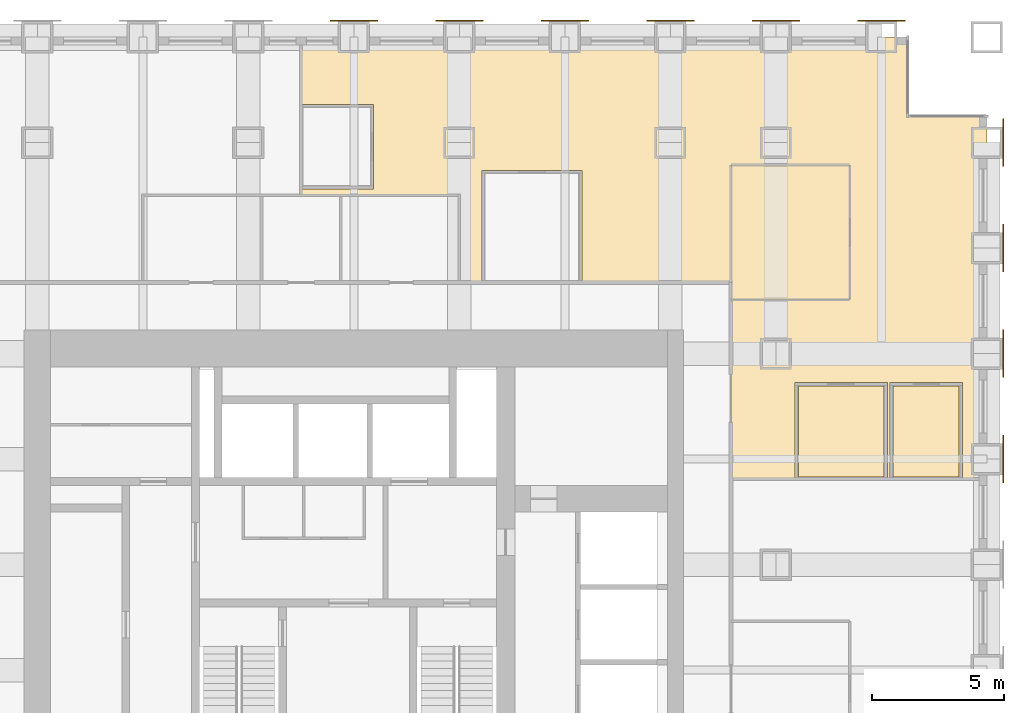
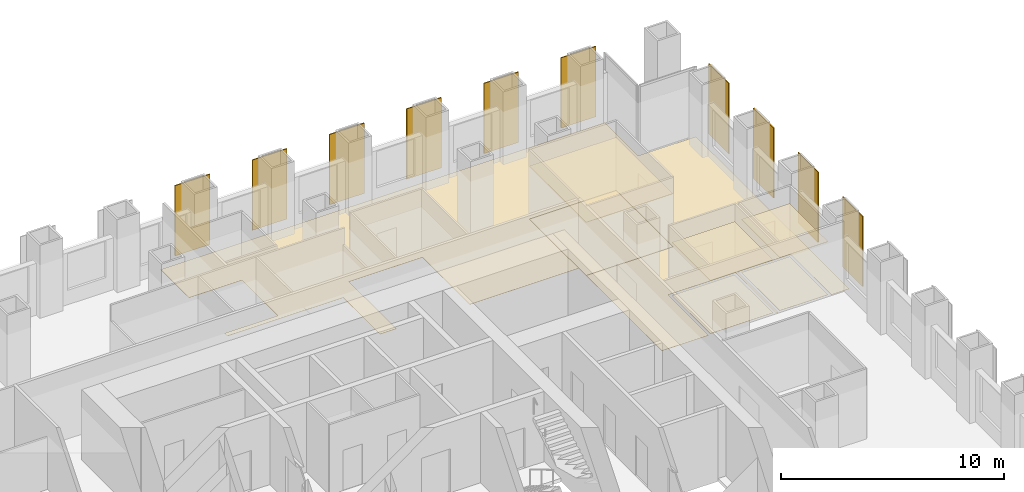
# One storey, part 14 of 14: 10 shading devices, 7 coverings.
"""IFC4 building model written with IfcOpenShell, lengths in metres."""

from ifc_helpers import new_model, si_unit, direction, frame, origin, origin_2d, place, context, subcontext, project, spatial, polyline, rectangle, outline, extrude, material, layer, layer_set, type_object, element, save


model = new_model("IFC4")

# Units and contexts
model_context = context("Model", 3, precision=1e-05, world=origin(), true_north=direction((0.0, 1.0)))
body_context = subcontext(model_context, "Body", "Model", "MODEL_VIEW")
ifc_project = project(units=[si_unit("LENGTHUNIT", "METRE"), si_unit("AREAUNIT", "SQUARE_METRE"), si_unit("VOLUMEUNIT", "CUBIC_METRE"), si_unit("PLANEANGLEUNIT", "RADIAN"), si_unit("MASSUNIT", "GRAM", prefix="KILO")], contexts=[model_context])

# Site, building, storey
site_placement = place(None, origin())
site = spatial("IfcSite", under=ifc_project, at=site_placement, CompositionType="ELEMENT")
building_placement = place(site_placement, origin())
building = spatial("IfcBuilding", under=site, at=building_placement, Name="Rimbunsela Tower", CompositionType="ELEMENT")
storey_placement = place(building_placement, frame((0.0, 0.0, 55.0)))
storey = spatial("IfcBuildingStorey", under=building, at=storey_placement, Name="L13", CompositionType="ELEMENT", Elevation=55.0)

# Coverings
ifc_material_1 = material(Name="Nylon carpet tile", Category="textile")
ifc_layer_1 = layer(ifc_material_1, 0.010009765625)
ifc_layer_set_1 = layer_set([ifc_layer_1], Name="Carpet tile 10")
covering_type_1 = type_object("IfcCoveringType", Name="Carpet tile 10", PredefinedType="FLOORING", material=ifc_layer_set_1)
covering_1_placement = place(storey_placement, origin())
element("IfcCovering", 1, at=covering_1_placement, inside=storey, type_object=covering_type_1, Name="Floor finish Open office", PredefinedType="FLOORING", context=body_context, shape_type="SweptSolid", body=[
    extrude(outline(polyline([(44.300048828125, 38.699951171875), (38.64990234375, 38.699951171875), (38.64990234375, 42.949951171875), (34.85009765625, 42.949951171875), (34.85009765625, 38.699951171875), (34.0, 38.699951171875), (34.0, 42.0), (28.0009765625, 42.0), (28.0009765625, 42.25), (30.75, 42.25), (30.75, 45.449951171875), (28.0009765625, 45.449951171875), (28.0009765625, 48.0), (44.300048828125, 48.0), (51.0, 48.0), (51.0, 45.0), (54.0, 45.0), (54.0, 31.2509765625), (53.074951171875, 31.2509765625), (53.074951171875, 34.89990234375), (50.324951171875, 34.89990234375), (50.324951171875, 31.2509765625), (50.22509765625, 31.2509765625), (50.22509765625, 34.89990234375), (46.72509765625, 34.89990234375), (46.72509765625, 31.2509765625), (44.300048828125, 31.2509765625), (44.300048828125, 38.050048828125), (48.800048828125, 38.050048828125), (48.800048828125, 43.14990234375), (44.300048828125, 43.14990234375), (44.300048828125, 38.699951171875)])), origin(), (0.0, 0.0, 1.0), 0.010009765625),
])
covering_2_placement = place(storey_placement, origin())
element("IfcCovering", 2, at=covering_2_placement, inside=storey, type_object=covering_type_1, Name="Floor finish Reception", PredefinedType="FLOORING", context=body_context, shape_type="SweptSolid", body=[
    extrude(outline(polyline([(48.800048828125, 38.050048828125), (48.800048828125, 43.14990234375), (44.300048828125, 43.14990234375), (44.300048828125, 38.050048828125), (48.800048828125, 38.050048828125)])), origin(), (0.0, 0.0, 1.0), 0.010009765625),
])
covering_3_placement = place(storey_placement, origin())
element("IfcCovering", 3, at=covering_3_placement, inside=storey, type_object=covering_type_1, Name="Floor finish Pantry", PredefinedType="FLOORING", context=body_context, shape_type="SweptSolid", body=[
    extrude(outline(polyline([(50.10009765625, 31.324951171875), (50.10009765625, 34.77490234375), (46.85009765625, 34.77490234375), (46.85009765625, 31.324951171875), (50.10009765625, 31.324951171875)])), origin(), (0.0, 0.0, 1.0), 0.010009765625),
])
covering_4_placement = place(storey_placement, origin())
element("IfcCovering", 4, at=covering_4_placement, inside=storey, type_object=covering_type_1, Name="Floor finish Print and copy room", PredefinedType="FLOORING", context=body_context, shape_type="SweptSolid", body=[
    extrude(outline(polyline([(52.949951171875, 31.324951171875), (52.949951171875, 34.77490234375), (50.449951171875, 34.77490234375), (50.449951171875, 31.324951171875), (52.949951171875, 31.324951171875)])), origin(), (0.0, 0.0, 1.0), 0.010009765625),
])
ifc_material_2 = material(Name="Mineral fibre ceiling tile", Category="gypsum")
ifc_layer_2 = layer(ifc_material_2, 0.02001953125)
ifc_layer_set_2 = layer_set([ifc_layer_2], Name="Ceiling 600 grid")
covering_type_2 = type_object("IfcCoveringType", Name="Ceiling 600 grid", PredefinedType="CEILING", material=ifc_layer_set_2)
covering_5_placement = place(storey_placement, frame((0.0, 0.0, 2.89990234375)))
element("IfcCovering", 5, at=covering_5_placement, inside=storey, type_object=covering_type_2, Name="Ceiling Reception", PredefinedType="CEILING", context=body_context, shape_type="SweptSolid", body=[
    extrude(outline(polyline([(48.800048828125, 38.050048828125), (48.800048828125, 43.14990234375), (44.300048828125, 43.14990234375), (44.300048828125, 38.050048828125), (48.800048828125, 38.050048828125)])), origin(), (0.0, 0.0, 1.0), 0.02001953125),
])
covering_6_placement = place(storey_placement, frame((0.0, 0.0, 2.89990234375)))
element("IfcCovering", 6, at=covering_6_placement, inside=storey, type_object=covering_type_2, Name="Ceiling Pantry", PredefinedType="CEILING", context=body_context, shape_type="SweptSolid", body=[
    extrude(outline(polyline([(50.10009765625, 31.324951171875), (50.10009765625, 34.77490234375), (46.85009765625, 34.77490234375), (46.85009765625, 31.324951171875), (50.10009765625, 31.324951171875)])), origin(), (0.0, 0.0, 1.0), 0.02001953125),
])
covering_7_placement = place(storey_placement, frame((0.0, 0.0, 2.89990234375)))
element("IfcCovering", 7, at=covering_7_placement, inside=storey, type_object=covering_type_2, Name="Ceiling Print and copy room", PredefinedType="CEILING", context=body_context, shape_type="SweptSolid", body=[
    extrude(outline(polyline([(52.949951171875, 31.324951171875), (52.949951171875, 34.77490234375), (50.449951171875, 34.77490234375), (50.449951171875, 31.324951171875), (52.949951171875, 31.324951171875)])), origin(), (0.0, 0.0, 1.0), 0.02001953125),
])

# Shading devices
ifc_material_3 = material(Name="Perforated aluminium, 35 % open area", Category="aluminium")
ifc_layer_3 = layer(ifc_material_3, 0.050048828125)
ifc_layer_set_3 = layer_set([ifc_layer_3], Name="Solar screen panel 1800")
shading_device_type = type_object("IfcShadingDeviceType", Name="Solar screen panel 1800", PredefinedType="USERDEFINED", material=ifc_layer_set_3)
for number, where, z_axis, x_axis, name in (
    (8, (54.625, 32.0, 0.0), (0.0, 0.0, 1.0), (0.0, 1.0, 0.0), "Solar screen E L13"),
    (9, (54.625, 36.0, 0.0), (0.0, 0.0, 1.0), (0.0, 1.0, 0.0), "Solar screen E L13"),
    (10, (54.625, 40.0, 0.0), (0.0, 0.0, 1.0), (0.0, 1.0, 0.0), "Solar screen E L13"),
    (11, (54.625, 44.0, 0.0), (0.0, 0.0, 1.0), (0.0, 1.0, 0.0), "Solar screen E L13"),
    (12, (30.0, 48.625, 0.0), (0.0, 0.0, 1.0), (1.0, 0.0, 0.0), "Solar screen N L13"),
    (13, (34.0, 48.625, 0.0), (0.0, 0.0, 1.0), (1.0, 0.0, 0.0), "Solar screen N L13"),
    (14, (38.0, 48.625, 0.0), (0.0, 0.0, 1.0), (1.0, 0.0, 0.0), "Solar screen N L13"),
    (15, (42.0, 48.625, 0.0), (0.0, 0.0, 1.0), (1.0, 0.0, 0.0), "Solar screen N L13"),
    (16, (46.0, 48.625, 0.0), (0.0, 0.0, 1.0), (1.0, 0.0, 0.0), "Solar screen N L13"),
    (17, (50.0, 48.625, 0.0), (0.0, 0.0, 1.0), (1.0, 0.0, 0.0), "Solar screen N L13"),
):
    element("IfcShadingDevice", number, at=place(storey_placement, frame(where, z_axis=z_axis, x_axis=x_axis)), inside=storey, type_object=shading_device_type, Name=name, ObjectType="SCREEN", PredefinedType="USERDEFINED", context=body_context, shape_type="SweptSolid", body=[
        extrude(rectangle(XDim=1.800048828125, YDim=0.050048828125, at=origin_2d()), origin(), (0.0, 0.0, 1.0), 3.85009765625),
    ])

save(model, "model.ifc")
